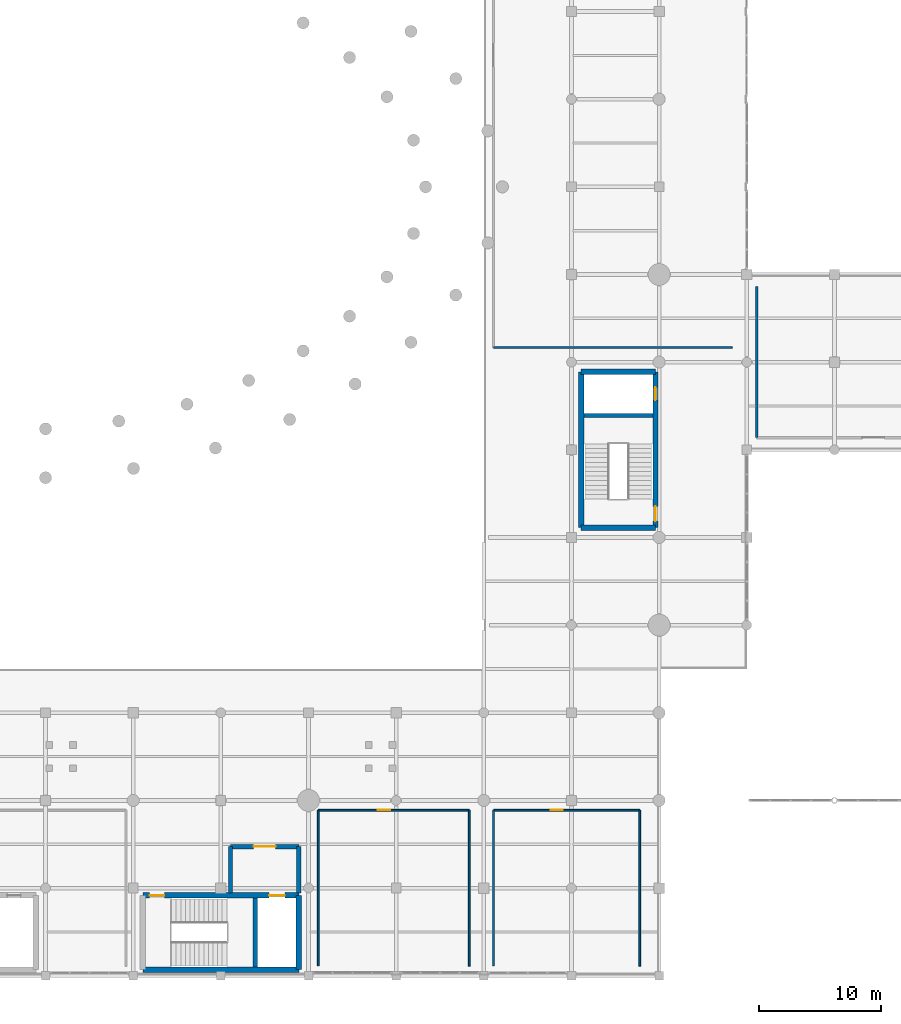
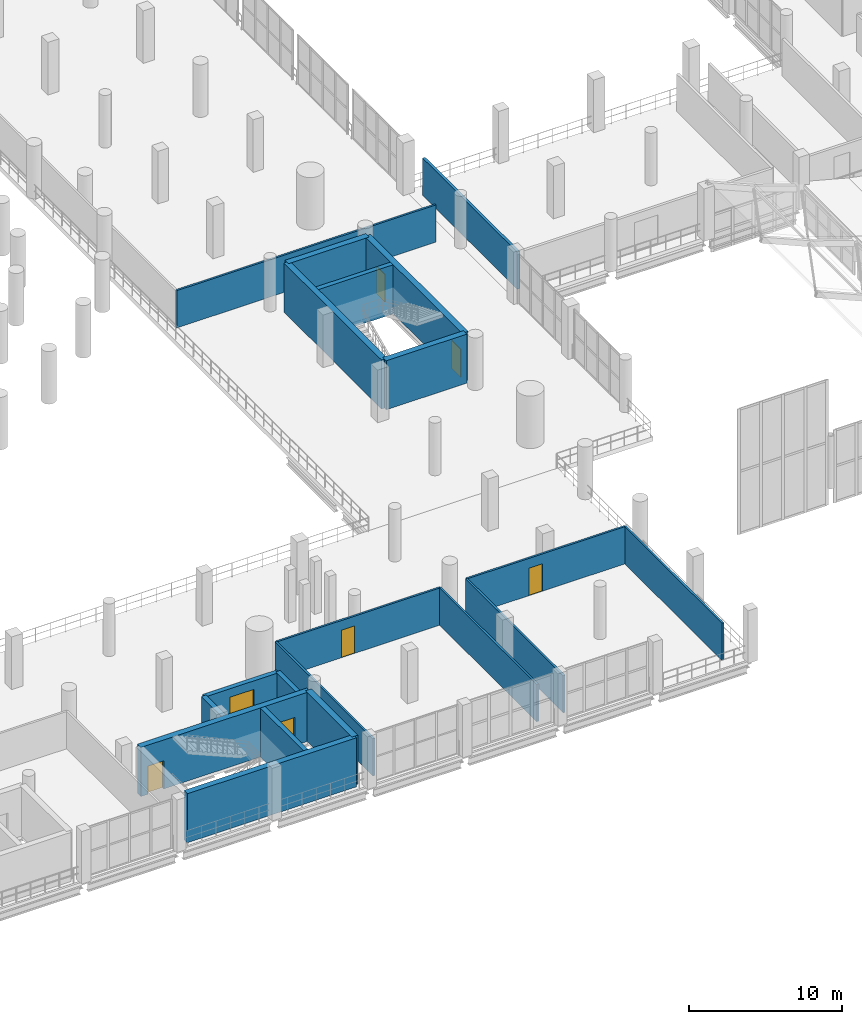
# One storey, part 133 of 153: 20 walls, 7 doors, 7 openings.
"""IFC4 building model written with IfcOpenShell, lengths in metres."""

from ifc_helpers import new_model, si_unit, direction, frame, frame_2d, origin, place, context, subcontext, project, spatial, rectangle, extrude, material, layer, layer_set, type_object, element, fill, save


model = new_model("IFC4")

# Units and contexts
model_context = context("Model", 3, precision=1e-05, world=origin(), true_north=direction((0.0, 1.0)))
body_context = subcontext(model_context, "Body", "Model", "MODEL_VIEW")
ifc_project = project(units=[si_unit("LENGTHUNIT", "METRE"), si_unit("AREAUNIT", "SQUARE_METRE"), si_unit("VOLUMEUNIT", "CUBIC_METRE"), si_unit("PLANEANGLEUNIT", "RADIAN"), si_unit("MASSUNIT", "GRAM", prefix="KILO")], contexts=[model_context])

# Site, building, storey
site_placement = place(None, origin())
site = spatial("IfcSite", under=ifc_project, at=site_placement, CompositionType="ELEMENT")
building_placement = place(site_placement, origin())
building = spatial("IfcBuilding", under=site, at=building_placement, Name="Qandorah Velis Arena", CompositionType="ELEMENT")
storey_placement = place(building_placement, frame((0.0, 0.0, 5.39990234375)))
storey = spatial("IfcBuildingStorey", under=building, at=storey_placement, Name="L01", CompositionType="ELEMENT", Elevation=5.39990234375)

# Walls
ifc_material_1 = material(Name="Concrete C35/45", Category="concrete")
ifc_layer_1 = layer(ifc_material_1, 0.199951171875)
ifc_layer_set_1 = layer_set([ifc_layer_1], Name="Concrete C35/45")
wall_type_1 = type_object("IfcWallType", Name="ARC-WAL-FD60-200", PredefinedType="PARTITIONING", material=ifc_layer_set_1)
wall_1_placement = place(storey_placement, frame((123.199951171875, 56.60009765625, 0.0), z_axis=(0.0, 0.0, 1.0), x_axis=(0.0, -1.0, 0.0)))
element("IfcWall", 1, at=wall_1_placement, inside=storey, type_object=wall_type_1, Name="Interior partition L01-KIT-CEN (W)", PredefinedType="PARTITIONING", context=body_context, shape_type="SweptSolid", body=[
    extrude(rectangle(XDim=12.400146484375, YDim=0.199951171875, at=frame_2d((6.2001953125, 0.0))), origin(), (0.0, 0.0, 1.0), 2.97998046875),
])
ifc_layer_2 = layer(ifc_material_1, 0.14990234375)
ifc_layer_set_2 = layer_set([ifc_layer_2], Name="Concrete C35/45")
wall_type_2 = type_object("IfcWallType", Name="ARC-WAL-PART150", PredefinedType="PARTITIONING", material=ifc_layer_set_2)
wall_2_placement = place(storey_placement, frame((101.60009765625, 51.60009765625, 0.0), z_axis=(0.0, 0.0, 1.0), x_axis=(1.0, 0.0, 0.0)))
element("IfcWall", 2, at=wall_2_placement, inside=storey, type_object=wall_type_2, Name="Interior partition L01-CLB-SE (S)", PredefinedType="PARTITIONING", context=body_context, shape_type="SweptSolid", body=[
    extrude(rectangle(XDim=19.599853515625, YDim=0.14990234375, at=frame_2d((9.7998046875, 0.0))), origin(), (0.0, 0.0, 1.0), 2.97998046875),
])
wall_3_placement = place(storey_placement, frame((99.60009765625, 0.800048828125, 0.0), z_axis=(0.0, 0.0, 1.0), x_axis=(0.0, 1.0, 0.0)))
element("IfcWall", 3, at=wall_3_placement, inside=storey, type_object=wall_type_2, Name="Interior partition L01-OPS-1 (E)", PredefinedType="PARTITIONING", context=body_context, shape_type="SweptSolid", body=[
    extrude(rectangle(XDim=12.800048828125, YDim=0.14990234375, at=frame_2d((6.39990234375, 0.0))), origin(), (0.0, 0.0, 1.0), 2.97998046875),
])

# Wall, opening, door
wall_4_placement = place(storey_placement, frame((99.60009765625, 13.60009765625, 0.0), z_axis=(0.0, 0.0, 1.0), x_axis=(-1.0, 0.0, 0.0)))
wall_4 = element("IfcWall", 4, at=wall_4_placement, inside=storey, type_object=wall_type_2, Name="Interior partition L01-OPS-1 (N)", PredefinedType="PARTITIONING", context=body_context, shape_type="SweptSolid", body=[
    extrude(rectangle(XDim=12.400146484375, YDim=0.14990234375, at=frame_2d((6.2001953125, 0.0))), origin(), (0.0, 0.0, 1.0), 2.97998046875),
])
opening_1_placement = place(wall_4_placement, frame((6.5, 0.0, 0.0)))
opening_1 = element("IfcOpeningElement", 5, at=opening_1_placement, cuts=wall_4, Name="Opening D1", PredefinedType="OPENING", context=body_context, shape_type="SweptSolid", body=[
    extrude(rectangle(XDim=1.0, YDim=2.199951171875, at=frame_2d((0.5, 1.10009765625))), frame((0.0, 0.0849609375, 0.0), z_axis=(0.0, -1.0, 0.0), x_axis=(1.0, 0.0, 0.0)), (0.0, 0.0, 1.0), 0.169921875),
])
ifc_material_2 = material(Name="Solid-core hardwood veneer door", Category="wood")
door_type_1 = type_object("IfcDoorType", Name="ARC-DR-INT1000", OperationType="NOTDEFINED", PredefinedType="DOOR", material=ifc_material_2)
door_1_placement = place(opening_1_placement, frame((1.0, 0.0, 0.0), z_axis=(0.0, 0.0, 1.0), x_axis=(-1.0, 0.0, 0.0)))
door_1 = element("IfcDoor", 6, at=door_1_placement, inside=storey, type_object=door_type_1, Name="Door L01-OPS-1", OperationType="SINGLE_SWING_RIGHT", OverallHeight=2.199951171875, OverallWidth=1.0, PredefinedType="DOOR", context=body_context, shape_type="SweptSolid", body=[
    extrude(rectangle(XDim=1.0, YDim=2.199951171875, at=frame_2d((0.5, 1.10009765625))), frame((0.0, 0.02490234375, 0.0), z_axis=(0.0, -1.0, 0.0), x_axis=(1.0, 0.0, 0.0)), (0.0, 0.0, 1.0), 0.050048828125),
])
fill(opening_1, door_1)

# Walls
for number, where, z_axis, x_axis, name in (
    (7, (87.199951171875, 13.60009765625, 0.0), (0.0, 0.0, 1.0), (0.0, -1.0, 0.0), "Interior partition L01-OPS-1 (W)"),
    (8, (113.60009765625, 0.800048828125, 0.0), (0.0, 0.0, 1.0), (0.0, 1.0, 0.0), "Interior partition L01-OPS-2 (E)"),
):
    element("IfcWall", number, at=place(storey_placement, frame(where, z_axis=z_axis, x_axis=x_axis)), inside=storey, type_object=wall_type_2, Name=name, PredefinedType="PARTITIONING", context=body_context, shape_type="SweptSolid", body=[
        extrude(rectangle(XDim=12.800048828125, YDim=0.14990234375, at=frame_2d((6.39990234375, 0.0))), origin(), (0.0, 0.0, 1.0), 2.97998046875),
    ])

# Wall, opening, door
wall_5_placement = place(storey_placement, frame((113.60009765625, 13.60009765625, 0.0), z_axis=(0.0, 0.0, 1.0), x_axis=(-1.0, 0.0, 0.0)))
wall_5 = element("IfcWall", 9, at=wall_5_placement, inside=storey, type_object=wall_type_2, Name="Interior partition L01-OPS-2 (N)", PredefinedType="PARTITIONING", context=body_context, shape_type="SweptSolid", body=[
    extrude(rectangle(XDim=12.0, YDim=0.14990234375, at=frame_2d((6.0, 0.0))), origin(), (0.0, 0.0, 1.0), 2.97998046875),
])
opening_2_placement = place(wall_5_placement, frame((6.300048828125, 0.0, 0.0)))
opening_2 = element("IfcOpeningElement", 10, at=opening_2_placement, cuts=wall_5, Name="Opening D1", PredefinedType="OPENING", context=body_context, shape_type="SweptSolid", body=[
    extrude(rectangle(XDim=1.0, YDim=2.199951171875, at=frame_2d((0.5, 1.10009765625))), frame((0.0, 0.0849609375, 0.0), z_axis=(0.0, -1.0, 0.0), x_axis=(1.0, 0.0, 0.0)), (0.0, 0.0, 1.0), 0.169921875),
])
door_2_placement = place(opening_2_placement, origin())
door_2 = element("IfcDoor", 11, at=door_2_placement, inside=storey, type_object=door_type_1, Name="Door L01-OPS-2", OperationType="SINGLE_SWING_LEFT", OverallHeight=2.199951171875, OverallWidth=1.0, PredefinedType="DOOR", context=body_context, shape_type="SweptSolid", body=[
    extrude(rectangle(XDim=1.0, YDim=2.199951171875, at=frame_2d((0.5, 1.10009765625))), frame((0.0, 0.02490234375, 0.0), z_axis=(0.0, -1.0, 0.0), x_axis=(1.0, 0.0, 0.0)), (0.0, 0.0, 1.0), 0.050048828125),
])
fill(opening_2, door_2)

# Walls
wall_6_placement = place(storey_placement, frame((101.60009765625, 13.60009765625, 0.0), z_axis=(0.0, 0.0, 1.0), x_axis=(0.0, -1.0, 0.0)))
element("IfcWall", 12, at=wall_6_placement, inside=storey, type_object=wall_type_2, Name="Interior partition L01-OPS-2 (W)", PredefinedType="PARTITIONING", context=body_context, shape_type="SweptSolid", body=[
    extrude(rectangle(XDim=12.800048828125, YDim=0.14990234375, at=frame_2d((6.39990234375, 0.0))), origin(), (0.0, 0.0, 1.0), 2.97998046875),
])
ifc_material_3 = material(Name="Concrete C40/50", Category="concrete")
ifc_layer_3 = layer(ifc_material_3, 0.449951171875)
ifc_layer_set_3 = layer_set([ifc_layer_3], Name="Concrete C40/50")
wall_type_3 = type_object("IfcWallType", Name="STR-WAL-CORE450", PredefinedType="SHEAR", material=ifc_layer_set_3)
wall_7_placement = place(storey_placement, frame((72.800048828125, 0.5, 0.0), z_axis=(0.0, 0.0, 1.0), x_axis=(1.0, 0.0, 0.0)))
element("IfcWall", 13, at=wall_7_placement, inside=storey, type_object=wall_type_3, Name="Core CORE-02 shear wall S (L01)", PredefinedType="SHEAR", context=body_context, shape_type="SweptSolid", body=[
    extrude(rectangle(XDim=12.800048828125, YDim=0.449951171875, at=frame_2d((6.39990234375, 0.0))), origin(), (0.0, 0.0, 1.0), 3.920166015625),
])

# Wall, openings, doors
wall_8_placement = place(storey_placement, frame((72.800048828125, 6.60009765625, 0.0), z_axis=(0.0, 0.0, 1.0), x_axis=(1.0, 0.0, 0.0)))
wall_8 = element("IfcWall", 14, at=wall_8_placement, inside=storey, type_object=wall_type_3, Name="Core CORE-02 shear wall N (L01)", PredefinedType="SHEAR", context=body_context, shape_type="SweptSolid", body=[
    extrude(rectangle(XDim=12.800048828125, YDim=0.449951171875, at=frame_2d((6.39990234375, 0.0))), origin(), (0.0, 0.0, 1.0), 3.920166015625),
])
opening_3_placement = place(wall_8_placement, frame((0.550048828125, 0.0, 0.0)))
opening_3 = element("IfcOpeningElement", 15, at=opening_3_placement, cuts=wall_8, Name="Opening SD1", PredefinedType="OPENING", context=body_context, shape_type="SweptSolid", body=[
    extrude(rectangle(XDim=1.199951171875, YDim=2.25, at=frame_2d((0.60009765625, 1.125))), frame((0.0, 0.23486328125, 0.0), z_axis=(0.0, -1.0, 0.0), x_axis=(1.0, 0.0, 0.0)), (0.0, 0.0, 1.0), 0.469970703125),
])
opening_4_placement = place(wall_8_placement, frame((10.35791015625, 0.0, 0.0)))
opening_4 = element("IfcOpeningElement", 16, at=opening_4_placement, cuts=wall_8, Name="Opening LD2", PredefinedType="OPENING", context=body_context, shape_type="SweptSolid", body=[
    extrude(rectangle(XDim=1.300048828125, YDim=2.25, at=frame_2d((0.64990234375, 1.125))), frame((0.0, 0.23486328125, 0.0), z_axis=(0.0, -1.0, 0.0), x_axis=(1.0, 0.0, 0.0)), (0.0, 0.0, 1.0), 0.469970703125),
])
ifc_material_4 = material(Name="Firefighting stainless sliding lift landing door", Category="steel")
door_type_2 = type_object("IfcDoorType", Name="ARC-DR-LD1300", OperationType="NOTDEFINED", PredefinedType="DOOR", material=ifc_material_4)
door_3_placement = place(opening_4_placement, origin())
door_3 = element("IfcDoor", 17, at=door_3_placement, inside=storey, type_object=door_type_2, Name="Lift FL2 sliding landing door (L01)", OperationType="SLIDING_TO_LEFT", OverallHeight=2.25, OverallWidth=1.300048828125, PredefinedType="DOOR", context=body_context, shape_type="SweptSolid", body=[
    extrude(rectangle(XDim=1.300048828125, YDim=2.25, at=frame_2d((0.64990234375, 1.125))), frame((0.0, 0.02490234375, 0.0), z_axis=(0.0, -1.0, 0.0), x_axis=(1.0, 0.0, 0.0)), (0.0, 0.0, 1.0), 0.050048828125),
])
fill(opening_4, door_3)
ifc_material_5 = material(Name="Self-closing fire-rated stair steel door", Category="steel")
door_type_3 = type_object("IfcDoorType", Name="ARC-DR-ST1200", OperationType="NOTDEFINED", PredefinedType="DOOR", material=ifc_material_5)
door_4_placement = place(opening_3_placement, frame((1.199951171875, 0.0, 0.0), z_axis=(0.0, 0.0, 1.0), x_axis=(-1.0, 0.0, 0.0)))
door_4 = element("IfcDoor", 18, at=door_4_placement, inside=storey, type_object=door_type_3, Name="Stair ST2 fire door (L01)", OperationType="SINGLE_SWING_LEFT", OverallHeight=2.25, OverallWidth=1.199951171875, PredefinedType="DOOR", context=body_context, shape_type="SweptSolid", body=[
    extrude(rectangle(XDim=1.199951171875, YDim=2.25, at=frame_2d((0.60009765625, 1.125))), frame((0.0, 0.02490234375, 0.0), z_axis=(0.0, -1.0, 0.0), x_axis=(1.0, 0.0, 0.0)), (0.0, 0.0, 1.0), 0.050048828125),
])
fill(opening_3, door_4)

# Walls
wall_9_placement = place(storey_placement, frame((85.60009765625, 0.5, 0.0), z_axis=(0.0, 0.0, 1.0), x_axis=(0.0, 1.0, 0.0)))
element("IfcWall", 19, at=wall_9_placement, inside=storey, type_object=wall_type_3, Name="Core CORE-02 shear wall E (L01)", PredefinedType="SHEAR", context=body_context, shape_type="SweptSolid", body=[
    extrude(rectangle(XDim=6.10009765625, YDim=0.449951171875, at=frame_2d((3.050048828125, 0.0))), origin(), (0.0, 0.0, 1.0), 3.920166015625),
])
for number, where, z_axis, x_axis, name in (
    (20, (108.800048828125, 36.800048828125, 0.0), (0.0, 0.0, 1.0), (1.0, 0.0, 0.0), "Core CORE-11 shear wall S (L01)"),
    (21, (108.800048828125, 49.60009765625, 0.0), (0.0, 0.0, 1.0), (1.0, 0.0, 0.0), "Core CORE-11 shear wall N (L01)"),
):
    element("IfcWall", number, at=place(storey_placement, frame(where, z_axis=z_axis, x_axis=x_axis)), inside=storey, type_object=wall_type_3, Name=name, PredefinedType="SHEAR", context=body_context, shape_type="SweptSolid", body=[
        extrude(rectangle(XDim=6.099853515625, YDim=0.449951171875, at=frame_2d((3.0498046875, 0.0))), origin(), (0.0, 0.0, 1.0), 3.920166015625),
    ])
wall_10_placement = place(storey_placement, frame((108.800048828125, 36.800048828125, 0.0), z_axis=(0.0, 0.0, 1.0), x_axis=(0.0, 1.0, 0.0)))
element("IfcWall", 22, at=wall_10_placement, inside=storey, type_object=wall_type_3, Name="Core CORE-11 shear wall W (L01)", PredefinedType="SHEAR", context=body_context, shape_type="SweptSolid", body=[
    extrude(rectangle(XDim=12.800048828125, YDim=0.449951171875, at=frame_2d((6.39990234375, 0.0))), origin(), (0.0, 0.0, 1.0), 3.920166015625),
])

# Wall, openings, doors
wall_11_placement = place(storey_placement, frame((114.89990234375, 36.800048828125, 0.0), z_axis=(0.0, 0.0, 1.0), x_axis=(0.0, 1.0, 0.0)))
wall_11 = element("IfcWall", 23, at=wall_11_placement, inside=storey, type_object=wall_type_3, Name="Core CORE-11 shear wall E (L01)", PredefinedType="SHEAR", context=body_context, shape_type="SweptSolid", body=[
    extrude(rectangle(XDim=12.800048828125, YDim=0.449951171875, at=frame_2d((6.39990234375, 0.0))), origin(), (0.0, 0.0, 1.0), 3.920166015625),
])
opening_5_placement = place(wall_11_placement, frame((0.550048828125, 0.0, 0.0)))
opening_5 = element("IfcOpeningElement", 24, at=opening_5_placement, cuts=wall_11, Name="Opening SD1", PredefinedType="OPENING", context=body_context, shape_type="SweptSolid", body=[
    extrude(rectangle(XDim=1.199951171875, YDim=2.25, at=frame_2d((0.60009765625, 1.125))), frame((0.0, 0.23486328125, 0.0), z_axis=(0.0, -1.0, 0.0), x_axis=(1.0, 0.0, 0.0)), (0.0, 0.0, 1.0), 0.469970703125),
])
opening_6_placement = place(wall_11_placement, frame((10.4580078125, 0.0, 0.0)))
opening_6 = element("IfcOpeningElement", 25, at=opening_6_placement, cuts=wall_11, Name="Opening LD1", PredefinedType="OPENING", context=body_context, shape_type="SweptSolid", body=[
    extrude(rectangle(XDim=1.10009765625, YDim=2.199951171875, at=frame_2d((0.550048828125, 1.10009765625))), frame((0.0, 0.23486328125, 0.0), z_axis=(0.0, -1.0, 0.0), x_axis=(1.0, 0.0, 0.0)), (0.0, 0.0, 1.0), 0.469970703125),
])
ifc_material_6 = material(Name="Stainless steel sliding lift landing door", Category="steel")
door_type_4 = type_object("IfcDoorType", Name="ARC-DR-LD1100", OperationType="NOTDEFINED", PredefinedType="DOOR", material=ifc_material_6)
door_5_placement = place(opening_6_placement, origin())
door_5 = element("IfcDoor", 26, at=door_5_placement, inside=storey, type_object=door_type_4, Name="Lift PL8 sliding landing door (L01)", OperationType="SLIDING_TO_RIGHT", OverallHeight=2.199951171875, OverallWidth=1.10009765625, PredefinedType="DOOR", context=body_context, shape_type="SweptSolid", body=[
    extrude(rectangle(XDim=1.10009765625, YDim=2.199951171875, at=frame_2d((0.550048828125, 1.10009765625))), frame((0.0, 0.02490234375, 0.0), z_axis=(0.0, -1.0, 0.0), x_axis=(1.0, 0.0, 0.0)), (0.0, 0.0, 1.0), 0.050048828125),
])
fill(opening_6, door_5)
door_6_placement = place(opening_5_placement, origin())
door_6 = element("IfcDoor", 27, at=door_6_placement, inside=storey, type_object=door_type_3, Name="Stair ST11 fire door (L01)", OperationType="SINGLE_SWING_LEFT", OverallHeight=2.25, OverallWidth=1.199951171875, PredefinedType="DOOR", context=body_context, shape_type="SweptSolid", body=[
    extrude(rectangle(XDim=1.199951171875, YDim=2.25, at=frame_2d((0.60009765625, 1.125))), frame((0.0, 0.02490234375, 0.0), z_axis=(0.0, -1.0, 0.0), x_axis=(1.0, 0.0, 0.0)), (0.0, 0.0, 1.0), 0.050048828125),
])
fill(opening_5, door_6)

# Walls
ifc_layer_4 = layer(ifc_material_3, 0.35009765625)
ifc_layer_set_4 = layer_set([ifc_layer_4], Name="Concrete C40/50")
wall_type_4 = type_object("IfcWallType", Name="STR-WAL-SH350", PredefinedType="SHEAR", material=ifc_layer_set_4)
wall_12_placement = place(storey_placement, frame((82.01611328125, 0.72509765625, 0.0), z_axis=(0.0, 0.0, 1.0), x_axis=(0.0, 1.0, 0.0)))
element("IfcWall", 28, at=wall_12_placement, inside=storey, type_object=wall_type_4, Name="Core CORE-02 shaft divider shear wall (L01)", PredefinedType="SHEAR", context=body_context, shape_type="SweptSolid", body=[
    extrude(rectangle(XDim=5.64990234375, YDim=0.35009765625, at=frame_2d((2.824951171875, 0.0))), origin(), (0.0, 0.0, 1.0), 3.920166015625),
])
wall_13_placement = place(storey_placement, frame((109.02490234375, 46.01611328125, 0.0), z_axis=(0.0, 0.0, 1.0), x_axis=(1.0, 0.0, 0.0)))
element("IfcWall", 29, at=wall_13_placement, inside=storey, type_object=wall_type_4, Name="Core CORE-11 shaft divider shear wall (L01)", PredefinedType="SHEAR", context=body_context, shape_type="SweptSolid", body=[
    extrude(rectangle(XDim=5.650146484375, YDim=0.35009765625, at=frame_2d((2.8251953125, 0.0))), origin(), (0.0, 0.0, 1.0), 3.920166015625),
])
wall_14_placement = place(storey_placement, frame((85.60009765625, 6.800048828125, 0.0), z_axis=(0.0, 0.0, 1.0), x_axis=(0.0, 1.0, 0.0)))
element("IfcWall", 30, at=wall_14_placement, inside=storey, type_object=wall_type_4, Name="Interior partition FFL-FL2-L01 (E)", PredefinedType="SHEAR", context=body_context, shape_type="SweptSolid", body=[
    extrude(rectangle(XDim=3.800048828125, YDim=0.35009765625, at=frame_2d((1.89990234375, 0.0))), origin(), (0.0, 0.0, 1.0), 2.97998046875),
])

# Wall, opening, door
wall_15_placement = place(storey_placement, frame((85.60009765625, 10.60009765625, 0.0), z_axis=(0.0, 0.0, 1.0), x_axis=(-1.0, 0.0, 0.0)))
wall_15 = element("IfcWall", 31, at=wall_15_placement, inside=storey, type_object=wall_type_4, Name="Interior partition FFL-FL2-L01 (N)", PredefinedType="SHEAR", context=body_context, shape_type="SweptSolid", body=[
    extrude(rectangle(XDim=5.60009765625, YDim=0.35009765625, at=frame_2d((2.800048828125, 0.0))), origin(), (0.0, 0.0, 1.0), 2.97998046875),
])
opening_7_placement = place(wall_15_placement, frame((1.89990234375, 0.0, 0.0)))
opening_7 = element("IfcOpeningElement", 32, at=opening_7_placement, cuts=wall_15, Name="Opening FD1", PredefinedType="OPENING", context=body_context, shape_type="SweptSolid", body=[
    extrude(rectangle(XDim=1.800048828125, YDim=2.300048828125, at=frame_2d((0.89990234375, 1.14990234375))), frame((0.0, 0.18505859375, 0.0), z_axis=(0.0, -1.0, 0.0), x_axis=(1.0, 0.0, 0.0)), (0.0, 0.0, 1.0), 0.3701171875),
])
ifc_material_7 = material(Name="Insulated fire-rated double steel door", Category="steel")
door_type_5 = type_object("IfcDoorType", Name="ARC-DR-FD1800", OperationType="NOTDEFINED", PredefinedType="DOOR", material=ifc_material_7)
door_7_placement = place(opening_7_placement, origin())
door_7 = element("IfcDoor", 33, at=door_7_placement, inside=storey, type_object=door_type_5, Name="Door FFL-FL2-L01", OperationType="DOUBLE_DOOR_SINGLE_SWING", OverallHeight=2.300048828125, OverallWidth=1.800048828125, PredefinedType="DOOR", context=body_context, shape_type="SweptSolid", body=[
    extrude(rectangle(XDim=1.800048828125, YDim=2.300048828125, at=frame_2d((0.89990234375, 1.14990234375))), frame((0.0, 0.02490234375, 0.0), z_axis=(0.0, -1.0, 0.0), x_axis=(1.0, 0.0, 0.0)), (0.0, 0.0, 1.0), 0.050048828125),
])
fill(opening_7, door_7)

# Wall
wall_16_placement = place(storey_placement, frame((80.0, 10.60009765625, 0.0), z_axis=(0.0, 0.0, 1.0), x_axis=(0.0, -1.0, 0.0)))
element("IfcWall", 34, at=wall_16_placement, inside=storey, type_object=wall_type_4, Name="Interior partition FFL-FL2-L01 (W)", PredefinedType="SHEAR", context=body_context, shape_type="SweptSolid", body=[
    extrude(rectangle(XDim=3.800048828125, YDim=0.35009765625, at=frame_2d((1.89990234375, 0.0))), origin(), (0.0, 0.0, 1.0), 2.97998046875),
])

save(model, "model.ifc")
